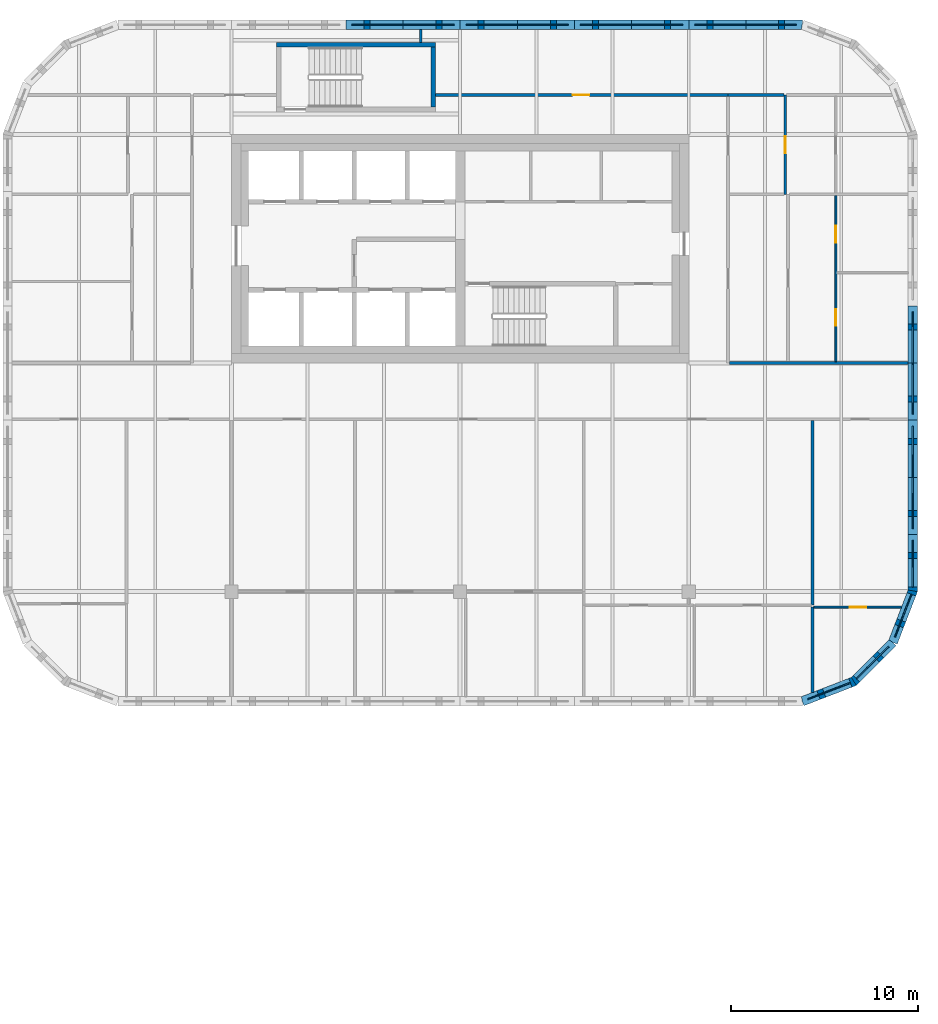
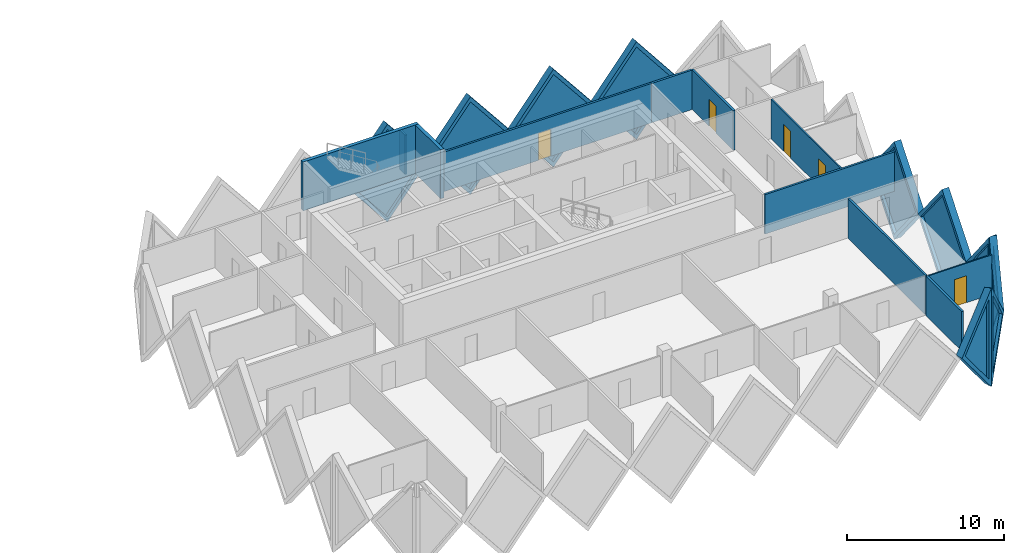
# One storey, part 15 of 19: 21 walls, 10 plates, 5 doors, 15 openings.
"""IFC4 building model written with IfcOpenShell, lengths in metres."""

from ifc_helpers import new_model, si_unit, direction, frame, frame_2d, origin, place, context, subcontext, project, spatial, polyline, rectangle, outline, extrude, faceted_brep, source, transform, mapped, material, layer, layer_set, type_object, element, fill, save


model = new_model("IFC4")

# Units and contexts
model_context = context("Model", 3, precision=1e-05, world=origin(), true_north=direction((0.0, 1.0)))
body_context = subcontext(model_context, "Body", "Model", "MODEL_VIEW")
ifc_project = project(units=[si_unit("LENGTHUNIT", "METRE"), si_unit("AREAUNIT", "SQUARE_METRE"), si_unit("VOLUMEUNIT", "CUBIC_METRE"), si_unit("PLANEANGLEUNIT", "RADIAN"), si_unit("MASSUNIT", "GRAM", prefix="KILO")], contexts=[model_context])

# Site, building, storey
site_placement = place(None, origin())
site = spatial("IfcSite", under=ifc_project, at=site_placement, CompositionType="ELEMENT")
building_placement = place(site_placement, origin())
building = spatial("IfcBuilding", under=site, at=building_placement, Name="Tessera Gate Towers", CompositionType="ELEMENT")
storey_placement = place(building_placement, frame((0.0, 0.0, 87.60009765625)))
storey = spatial("IfcBuildingStorey", under=building, at=storey_placement, Name="L21", CompositionType="ELEMENT", Elevation=87.60009765625)

# Walls
ifc_material_1 = material(Name="Concrete C40/50", Category="concrete")
ifc_layer_1 = layer(ifc_material_1, 0.25)
ifc_layer_set_1 = layer_set([ifc_layer_1], Name="CORE ENCLOSURE WALL 250")
wall_type_1 = type_object("IfcWallType", Name="CORE ENCLOSURE WALL 250", PredefinedType="SOLIDWALL", material=ifc_layer_set_1)
wall_1_placement = place(storey_placement, frame((100.0, 53.574951171875, 0.0), z_axis=(0.0, 0.0, 1.0), x_axis=(1.0, 0.0, 0.0)))
element("IfcWall", 1, at=wall_1_placement, inside=storey, type_object=wall_type_1, Name="L21 ST7 enclosure wall", PredefinedType="SOLIDWALL", context=body_context, shape_type="SweptSolid", body=[
    extrude(rectangle(XDim=8.5, YDim=0.25, at=frame_2d((4.25, 0.0))), origin(), (0.0, 0.0, 1.0), 3.7998046875),
])
wall_2_placement = place(storey_placement, frame((108.375, 53.449951171875, 0.0), z_axis=(0.0, 0.0, 1.0), x_axis=(0.0, -1.0, 0.0)))
element("IfcWall", 2, at=wall_2_placement, inside=storey, type_object=wall_type_1, Name="L21 ST7 enclosure wall", PredefinedType="SOLIDWALL", context=body_context, shape_type="SweptSolid", body=[
    extrude(rectangle(XDim=3.199951171875, YDim=0.25, at=frame_2d((1.60009765625, 0.0))), origin(), (0.0, 0.0, 1.0), 3.7998046875),
])
ifc_material_2 = material(Name="Gypsum board on steel studs, mineral wool", Category="steel")
ifc_layer_2 = layer(ifc_material_2, 0.14990234375)
ifc_layer_set_2 = layer_set([ifc_layer_2], Name="CORRIDOR WALL 150")
wall_type_2 = type_object("IfcWallType", Name="CORRIDOR WALL 150", PredefinedType="PARTITIONING", material=ifc_layer_set_2)
wall_3_placement = place(storey_placement, frame((124.176025390625, 36.60009765625, 0.0), z_axis=(0.0, 0.0, 1.0), x_axis=(1.0, 0.0, 0.0)))
element("IfcWall", 3, at=wall_3_placement, inside=storey, type_object=wall_type_2, Name="T2-L21-PW-025", PredefinedType="PARTITIONING", context=body_context, shape_type="SweptSolid", body=[
    extrude(rectangle(XDim=9.52392578125, YDim=0.14990234375, at=frame_2d((4.761962890625, 0.0))), origin(), (0.0, 0.0, 1.0), 3.06689453125),
])

# Wall, opening, door
wall_4_placement = place(storey_placement, frame((108.5, 50.89990234375, 0.0), z_axis=(0.0, 0.0, 1.0), x_axis=(1.0, 0.0, 0.0)))
wall_4 = element("IfcWall", 4, at=wall_4_placement, inside=storey, type_object=wall_type_2, Name="T2-L21-PW-040", PredefinedType="PARTITIONING", context=body_context, shape_type="SweptSolid", body=[
    extrude(rectangle(XDim=15.60009765625, YDim=0.14990234375, at=frame_2d((7.800048828125, 0.0))), origin(), (0.0, 0.0, 1.0), 3.06689453125),
])
shared_shape_1 = source(origin(), body_context, "Body", "SweptSolid", [
    extrude(rectangle(XDim=0.89990234375, YDim=2.10009765625, at=frame_2d((0.449951171875, 1.050048828125))), frame((0.0, 0.0849609375, 0.0), z_axis=(0.0, -1.0, 0.0), x_axis=(1.0, 0.0, 0.0)), (0.0, 0.0, 1.0), 0.169921875),
])
opening_1_placement = place(wall_4_placement, frame((7.300048828125, 0.0, 0.0)))
opening_1 = element("IfcOpeningElement", 5, at=opening_1_placement, cuts=wall_4, Name="Opening D890FD60-B09-06", PredefinedType="OPENING", context=body_context, shape_type="MappedRepresentation", body=[
    mapped(shared_shape_1, transform((0.0, 0.0, 0.0), scale=1.0)),
])
ifc_material_3 = material(Name="Timber door leaf in steel frame", Category="steel")
door_type_1 = type_object("IfcDoorType", Name="CORRIDOR DOOR 900 FD60", OperationType="NOTDEFINED", PredefinedType="DOOR", material=ifc_material_3)
shared_shape_2 = source(origin(), body_context, "Body", "SweptSolid", [
    extrude(rectangle(XDim=0.89990234375, YDim=2.10009765625, at=frame_2d((0.449951171875, 1.050048828125))), frame((0.0, 0.02490234375, 0.0), z_axis=(0.0, -1.0, 0.0), x_axis=(1.0, 0.0, 0.0)), (0.0, 0.0, 1.0), 0.050048828125),
])
door_1_placement = place(opening_1_placement, origin())
door_1 = element("IfcDoor", 6, at=door_1_placement, inside=storey, type_object=door_type_1, Name="T2-L21-PD-027", OperationType="SINGLE_SWING_LEFT", OverallHeight=2.10009765625, OverallWidth=0.89990234375, PredefinedType="DOOR", context=body_context, shape_type="MappedRepresentation", body=[
    mapped(shared_shape_2, transform((0.0, 0.0, 0.0), scale=1.0)),
])
fill(opening_1, door_1)

ifc_material_4 = material(Name="Gypsum board on steel studs", Category="steel")
ifc_layer_3 = layer(ifc_material_4, 0.10009765625)
ifc_layer_set_3 = layer_set([ifc_layer_3], Name="PARTITION 100")
wall_type_3 = type_object("IfcWallType", Name="PARTITION 100", PredefinedType="PARTITIONING", material=ifc_layer_set_3)
wall_5_placement = place(storey_placement, frame((133.345703125, 23.574951171875, 0.0), z_axis=(0.0, 0.0, 1.0), x_axis=(-1.0, 0.0, 0.0)))
wall_5 = element("IfcWall", 7, at=wall_5_placement, inside=storey, type_object=wall_type_3, Name="T2-L21-PW-008", PredefinedType="PARTITIONING", context=body_context, shape_type="SweptSolid", body=[
    extrude(rectangle(XDim=4.669677734375, YDim=0.10009765625, at=frame_2d((2.3349609375, 0.0))), origin(), (0.0, 0.0, 1.0), 3.06689453125),
])
shared_shape_3 = source(origin(), body_context, "Body", "SweptSolid", [
    extrude(rectangle(XDim=0.89990234375, YDim=2.10009765625, at=frame_2d((0.449951171875, 1.050048828125))), frame((0.0, 0.06005859375, 0.0), z_axis=(0.0, -1.0, 0.0), x_axis=(1.0, 0.0, 0.0)), (0.0, 0.0, 1.0), 0.1201171875),
])
opening_2_placement = place(wall_5_placement, frame((1.869873046875, 0.0, 0.0)))
opening_2 = element("IfcOpeningElement", 8, at=opening_2_placement, cuts=wall_5, Name="Opening D190-B09-04", PredefinedType="OPENING", context=body_context, shape_type="MappedRepresentation", body=[
    mapped(shared_shape_3, transform((0.0, 0.0, 0.0), scale=1.0)),
])
ifc_material_5 = material(Name="Timber door leaf in steel frame", Category="steel")
door_type_2 = type_object("IfcDoorType", Name="INTERNAL DOOR 900 NOT RATED", OperationType="NOTDEFINED", PredefinedType="DOOR", material=ifc_material_5)
door_2_placement = place(opening_2_placement, origin())
door_2 = element("IfcDoor", 9, at=door_2_placement, inside=storey, type_object=door_type_2, Name="T2-L21-PD-005", OperationType="SINGLE_SWING_RIGHT", OverallHeight=2.10009765625, OverallWidth=0.89990234375, PredefinedType="DOOR", context=body_context, shape_type="MappedRepresentation", body=[
    mapped(shared_shape_2, transform((0.0, 0.0, 0.0), scale=1.0)),
])
fill(opening_2, door_2)

# Wall, openings, doors
wall_6_placement = place(storey_placement, frame((129.85009765625, 45.52392578125, 0.0), z_axis=(0.0, 0.0, 1.0), x_axis=(0.0, -1.0, 0.0)))
wall_6 = element("IfcWall", 10, at=wall_6_placement, inside=storey, type_object=wall_type_3, Name="T2-L21-PW-028", PredefinedType="PARTITIONING", context=body_context, shape_type="SweptSolid", body=[
    extrude(rectangle(XDim=8.847900390625, YDim=0.10009765625, at=frame_2d((4.423828125, 0.0))), origin(), (0.0, 0.0, 1.0), 3.06689453125),
])
opening_3_placement = place(wall_6_placement, frame((1.60791015625, 0.0, 0.0)))
opening_3 = element("IfcOpeningElement", 11, at=opening_3_placement, cuts=wall_6, Name="Opening D190-B09-01", PredefinedType="OPENING", context=body_context, shape_type="MappedRepresentation", body=[
    mapped(shared_shape_3, transform((0.0, 0.0, 0.0), scale=1.0)),
])
opening_4_placement = place(wall_6_placement, frame((6.048095703125, 0.0, 0.0)))
opening_4 = element("IfcOpeningElement", 12, at=opening_4_placement, cuts=wall_6, Name="Opening D190-B09-05", PredefinedType="OPENING", context=body_context, shape_type="MappedRepresentation", body=[
    mapped(shared_shape_3, transform((0.0, 0.0, 0.0), scale=1.0)),
])
door_3_placement = place(opening_3_placement, origin())
door_3 = element("IfcDoor", 13, at=door_3_placement, inside=storey, type_object=door_type_2, Name="T2-L21-PD-001", OperationType="SINGLE_SWING_RIGHT", OverallHeight=2.10009765625, OverallWidth=0.89990234375, PredefinedType="DOOR", context=body_context, shape_type="MappedRepresentation", body=[
    mapped(shared_shape_2, transform((0.0, 0.0, 0.0), scale=1.0)),
])
fill(opening_3, door_3)
door_4_placement = place(opening_4_placement, origin())
door_4 = element("IfcDoor", 14, at=door_4_placement, inside=storey, type_object=door_type_2, Name="T2-L21-PD-006", OperationType="SINGLE_SWING_RIGHT", OverallHeight=2.10009765625, OverallWidth=0.89990234375, PredefinedType="DOOR", context=body_context, shape_type="MappedRepresentation", body=[
    mapped(shared_shape_2, transform((0.0, 0.0, 0.0), scale=1.0)),
])
fill(opening_4, door_4)

# Walls
ifc_material_6 = material(Name="Gypsum board on steel studs, mineral wool", Category="steel")
ifc_layer_4 = layer(ifc_material_6, 0.14990234375)
ifc_layer_set_4 = layer_set([ifc_layer_4], Name="TENANCY WALL 150")
wall_type_4 = type_object("IfcWallType", Name="TENANCY WALL 150", PredefinedType="PARTITIONING", material=ifc_layer_set_4)
wall_7_placement = place(storey_placement, frame((128.60009765625, 19.02880859375, 0.0), z_axis=(0.0, 0.0, 1.0), x_axis=(0.0, 1.0, 0.0)))
element("IfcWall", 15, at=wall_7_placement, inside=storey, type_object=wall_type_4, Name="T2-L21-PW-007", PredefinedType="PARTITIONING", context=body_context, shape_type="SweptSolid", body=[
    extrude(rectangle(XDim=4.546142578125, YDim=0.14990234375, at=frame_2d((2.27294921875, 0.0))), origin(), (0.0, 0.0, 1.0), 3.06689453125),
])
wall_8_placement = place(storey_placement, frame((128.60009765625, 23.679931640625, 0.0), z_axis=(0.0, 0.0, 1.0), x_axis=(0.0, 1.0, 0.0)))
element("IfcWall", 16, at=wall_8_placement, inside=storey, type_object=wall_type_4, Name="T2-L21-PW-012", PredefinedType="PARTITIONING", context=body_context, shape_type="SweptSolid", body=[
    extrude(rectangle(XDim=9.843994140625, YDim=0.14990234375, at=frame_2d((4.921875, 0.0))), origin(), (0.0, 0.0, 1.0), 3.06689453125),
])

# Wall, opening, door
wall_9_placement = place(storey_placement, frame((127.14990234375, 50.89990234375, 0.0), z_axis=(0.0, 0.0, 1.0), x_axis=(0.0, -1.0, 0.0)))
wall_9 = element("IfcWall", 17, at=wall_9_placement, inside=storey, type_object=wall_type_4, Name="T2-L21-PW-034", PredefinedType="PARTITIONING", context=body_context, shape_type="SweptSolid", body=[
    extrude(rectangle(XDim=5.2998046875, YDim=0.14990234375, at=frame_2d((2.64990234375, 0.0))), origin(), (0.0, 0.0, 1.0), 3.06689453125),
])
opening_5_placement = place(wall_9_placement, frame((2.199951171875, 0.0, 0.0)))
opening_5 = element("IfcOpeningElement", 18, at=opening_5_placement, cuts=wall_9, Name="Opening D190-B09-08", PredefinedType="OPENING", context=body_context, shape_type="MappedRepresentation", body=[
    mapped(shared_shape_1, transform((0.0, 0.0, 0.0), scale=1.0)),
])
door_5_placement = place(opening_5_placement, origin())
door_5 = element("IfcDoor", 19, at=door_5_placement, inside=storey, type_object=door_type_2, Name="T2-L21-PD-013", OperationType="SINGLE_SWING_RIGHT", OverallHeight=2.10009765625, OverallWidth=0.89990234375, PredefinedType="DOOR", context=body_context, shape_type="MappedRepresentation", body=[
    mapped(shared_shape_2, transform((0.0, 0.0, 0.0), scale=1.0)),
])
fill(opening_5, door_5)

# Walls
wall_10_placement = place(storey_placement, frame((124.10107421875, 50.89990234375, 0.0), z_axis=(0.0, 0.0, 1.0), x_axis=(1.0, 0.0, 0.0)))
element("IfcWall", 20, at=wall_10_placement, inside=storey, type_object=wall_type_4, Name="T2-L21-PW-041", PredefinedType="PARTITIONING", context=body_context, shape_type="SweptSolid", body=[
    extrude(rectangle(XDim=2.972900390625, YDim=0.14990234375, at=frame_2d((1.486328125, 0.0))), origin(), (0.0, 0.0, 1.0), 3.06689453125),
])
wall_11_placement = place(storey_placement, frame((107.699951171875, 53.699951171875, 0.0), z_axis=(0.0, 0.0, 1.0), x_axis=(0.0, 1.0, 0.0)))
element("IfcWall", 21, at=wall_11_placement, inside=storey, type_object=wall_type_4, Name="T2-L21-PW-043", PredefinedType="PARTITIONING", context=body_context, shape_type="SweptSolid", body=[
    extrude(rectangle(XDim=0.699951171875, YDim=0.14990234375, at=frame_2d((0.35009765625, 0.0))), origin(), (0.0, 0.0, 1.0), 3.06689453125),
])

# Wall, opening, plate
ifc_material_7 = material(Name="Precast concrete C60/75 white", Category="concrete")
ifc_layer_5 = layer(ifc_material_7, 0.5)
ifc_layer_set_5 = layer_set([ifc_layer_5], Name="TS1 tessera")
wall_type_5 = type_object("IfcWallType", Name="TS1 tessera", PredefinedType="SOLIDWALL", material=ifc_layer_set_5)
shared_shape_4 = source(origin(), body_context, "Body", "Brep", [
    faceted_brep([(3.00341796875, -0.25, 0.0), (6.053466796875, -0.25, 3.800048828125), (3.00341796875, -0.25, 7.599853515625), (0.0, -0.25, 3.800048828125), (0.046630859375, 0.25, 3.85888671875), (3.00341796875, 0.25, 7.599853515625), (6.053466796875, 0.25, 3.800048828125), (3.00341796875, 0.25, 0.0), (0.046630859375, 0.25, 3.7412109375), (0.0, 0.0, 3.800048828125)], [[[0, 1, 2, 3]], [[4, 5, 6, 7, 8]], [[7, 6, 1, 0]], [[6, 5, 2, 1]], [[5, 4, 9, 3, 2]], [[8, 7, 0, 3, 9]], [[8, 9, 4]]]),
])
wall_12_placement = place(storey_placement, frame((128.053466796875, 54.64990234375, -3.800048828125), z_axis=(0.0, 0.0, 1.0), x_axis=(-1.0, 0.0, 0.0)))
wall_12 = element("IfcWall", 22, at=wall_12_placement, inside=storey, type_object=wall_type_5, Name="Precast tessera T2 TS1-0261", PredefinedType="SOLIDWALL", context=body_context, shape_type="MappedRepresentation", body=[
    mapped(shared_shape_4, transform((0.0, 0.0, 0.0), scale=1.0)),
])
shared_shape_5 = source(origin(), body_context, "Body", "SweptSolid", [
    extrude(outline(polyline([(3.0048828125, 0.401123046875), (5.73291015625, 3.800048828125), (3.0048828125, 7.19873046875), (0.318603515625, 3.800048828125), (3.0048828125, 0.401123046875)])), frame((0.0, 0.260009765625, 0.0), z_axis=(0.0, -1.0, 0.0), x_axis=(1.0, 0.0, 0.0)), (0.0, 0.0, 1.0), 0.52001953125),
])
opening_6_placement = place(wall_12_placement, origin())
opening_6 = element("IfcOpeningElement", 23, at=opening_6_placement, cuts=wall_12, Name="Opening T2-PL2-0493", PredefinedType="OPENING", context=body_context, shape_type="MappedRepresentation", body=[
    mapped(shared_shape_5, transform((0.0, 0.0, 0.0), scale=1.0)),
])
ifc_material_8 = material(Name="Low-e laminated glass", Category="glass")
ifc_layer_6 = layer(ifc_material_8, 0.06005859375)
ifc_layer_set_6 = layer_set([ifc_layer_6], Name="PL2 rhombic pane")
plate_type = type_object("IfcPlateType", Name="PL2 rhombic pane", PredefinedType="SHEET", material=ifc_layer_set_6)
shared_shape_6 = source(origin(), body_context, "Body", "SweptSolid", [
    extrude(outline(polyline([(3.0048828125, 0.401123046875), (5.73291015625, 3.800048828125), (3.0048828125, 7.19873046875), (0.318603515625, 3.800048828125), (3.0048828125, 0.401123046875)])), frame((0.0, 0.030029296875, 0.0), z_axis=(0.0, -1.0, 0.0), x_axis=(1.0, 0.0, 0.0)), (0.0, 0.0, 1.0), 0.06005859375),
])
plate_1_placement = place(opening_6_placement, origin())
plate_1 = element("IfcPlate", 24, at=plate_1_placement, inside=storey, type_object=plate_type, Name="Glass pane T2 PL2-0493", PredefinedType="SHEET", context=body_context, shape_type="MappedRepresentation", body=[
    mapped(shared_shape_6, transform((0.0, 0.0, 0.0), scale=1.0)),
])
fill(opening_6, plate_1)

shared_shape_7 = source(origin(), body_context, "Body", "Brep", [
    faceted_brep([(3.050048828125, -0.25, 0.0), (6.099853515625, -0.25, 3.7998046875), (6.099853515625, -0.25, 3.80029296875), (3.050048828125, -0.25, 7.599853515625), (0.0, -0.25, 3.800048828125), (0.0, 0.25, 3.800048828125), (3.050048828125, 0.25, 7.599853515625), (6.099853515625, 0.25, 3.80029296875), (6.099853515625, 0.25, 3.7998046875), (3.050048828125, 0.25, 0.0)], [[[0, 1, 2, 3, 4]], [[5, 6, 7, 8, 9]], [[9, 8, 1, 0]], [[7, 6, 3, 2]], [[6, 5, 4, 3]], [[5, 9, 0, 4]], [[1, 8, 7, 2]]]),
])
wall_13_placement = place(storey_placement, frame((133.949951171875, 33.550048828125, -3.800048828125), z_axis=(0.0, 0.0, 1.0), x_axis=(0.0, 1.0, 0.0)))
wall_13 = element("IfcWall", 25, at=wall_13_placement, inside=storey, type_object=wall_type_5, Name="Precast tessera T2 TS1-0259", PredefinedType="SOLIDWALL", context=body_context, shape_type="MappedRepresentation", body=[
    mapped(shared_shape_7, transform((0.0, 0.0, 0.0), scale=1.0)),
])
shared_shape_8 = source(origin(), body_context, "Body", "SweptSolid", [
    extrude(outline(polyline([(3.050048828125, 0.3994140625), (5.779541015625, 3.800048828125), (3.050048828125, 7.200439453125), (0.320556640625, 3.800048828125), (3.050048828125, 0.3994140625)])), frame((0.0, 0.260009765625, 0.0), z_axis=(0.0, -1.0, 0.0), x_axis=(1.0, 0.0, 0.0)), (0.0, 0.0, 1.0), 0.52001953125),
])
opening_7_placement = place(wall_13_placement, origin())
opening_7 = element("IfcOpeningElement", 26, at=opening_7_placement, cuts=wall_13, Name="Opening T2-PL2-0487", PredefinedType="OPENING", context=body_context, shape_type="MappedRepresentation", body=[
    mapped(shared_shape_8, transform((0.0, 0.0, 0.0), scale=1.0)),
])
shared_shape_9 = source(origin(), body_context, "Body", "SweptSolid", [
    extrude(outline(polyline([(3.050048828125, 0.3994140625), (5.779541015625, 3.800048828125), (3.050048828125, 7.200439453125), (0.320556640625, 3.800048828125), (3.050048828125, 0.3994140625)])), frame((0.0, 0.030029296875, 0.0), z_axis=(0.0, -1.0, 0.0), x_axis=(1.0, 0.0, 0.0)), (0.0, 0.0, 1.0), 0.06005859375),
])
plate_2_placement = place(opening_7_placement, origin())
plate_2 = element("IfcPlate", 27, at=plate_2_placement, inside=storey, type_object=plate_type, Name="Glass pane T2 PL2-0487", PredefinedType="SHEET", context=body_context, shape_type="MappedRepresentation", body=[
    mapped(shared_shape_9, transform((0.0, 0.0, 0.0), scale=1.0)),
])
fill(opening_7, plate_2)

wall_14_placement = place(storey_placement, frame((115.89990234375, 54.64990234375, -3.800048828125), z_axis=(0.0, 0.0, 1.0), x_axis=(-1.0, 0.0, 0.0)))
wall_14 = element("IfcWall", 28, at=wall_14_placement, inside=storey, type_object=wall_type_5, Name="Precast tessera T2 TS1-0263", PredefinedType="SOLIDWALL", context=body_context, shape_type="MappedRepresentation", body=[
    mapped(shared_shape_7, transform((0.0, 0.0, 0.0), scale=1.0)),
])
opening_8_placement = place(wall_14_placement, origin())
opening_8 = element("IfcOpeningElement", 29, at=opening_8_placement, cuts=wall_14, Name="Opening T2-PL2-0495", PredefinedType="OPENING", context=body_context, shape_type="MappedRepresentation", body=[
    mapped(shared_shape_8, transform((0.0, 0.0, 0.0), scale=1.0)),
])
plate_3_placement = place(opening_8_placement, origin())
plate_3 = element("IfcPlate", 30, at=plate_3_placement, inside=storey, type_object=plate_type, Name="Glass pane T2 PL2-0495", PredefinedType="SHEET", context=body_context, shape_type="MappedRepresentation", body=[
    mapped(shared_shape_9, transform((0.0, 0.0, 0.0), scale=1.0)),
])
fill(opening_8, plate_3)

shared_shape_10 = source(origin(), body_context, "Body", "SweptSolid", [
    extrude(outline(polyline([(3.050048828125, 0.0), (6.10009765625, 3.800048828125), (3.050048828125, 7.599853515625), (0.0, 3.800048828125), (3.050048828125, 0.0)])), frame((0.0, 0.25, 0.0), z_axis=(0.0, -1.0, 0.0), x_axis=(1.0, 0.0, 0.0)), (0.0, 0.0, 1.0), 0.5),
])
wall_15_placement = place(storey_placement, frame((133.949951171875, 27.449951171875, -3.800048828125), z_axis=(0.0, 0.0, 1.0), x_axis=(0.0, 1.0, 0.0)))
wall_15 = element("IfcWall", 31, at=wall_15_placement, inside=storey, type_object=wall_type_5, Name="Precast tessera T2 TS1-0258", PredefinedType="SOLIDWALL", context=body_context, shape_type="MappedRepresentation", body=[
    mapped(shared_shape_10, transform((0.0, 0.0, 0.0), scale=1.0)),
])
opening_9_placement = place(wall_15_placement, origin())
opening_9 = element("IfcOpeningElement", 32, at=opening_9_placement, cuts=wall_15, Name="Opening T2-PL2-0486", PredefinedType="OPENING", context=body_context, shape_type="MappedRepresentation", body=[
    mapped(shared_shape_8, transform((0.0, 0.0, 0.0), scale=1.0)),
])
plate_4_placement = place(opening_9_placement, origin())
plate_4 = element("IfcPlate", 33, at=plate_4_placement, inside=storey, type_object=plate_type, Name="Glass pane T2 PL2-0486", PredefinedType="SHEET", context=body_context, shape_type="MappedRepresentation", body=[
    mapped(shared_shape_9, transform((0.0, 0.0, 0.0), scale=1.0)),
])
fill(opening_9, plate_4)

wall_16_placement = place(storey_placement, frame((122.0, 54.64990234375, -3.800048828125), z_axis=(0.0, 0.0, 1.0), x_axis=(-1.0, 0.0, 0.0)))
wall_16 = element("IfcWall", 34, at=wall_16_placement, inside=storey, type_object=wall_type_5, Name="Precast tessera T2 TS1-0262", PredefinedType="SOLIDWALL", context=body_context, shape_type="MappedRepresentation", body=[
    mapped(shared_shape_10, transform((0.0, 0.0, 0.0), scale=1.0)),
])
opening_10_placement = place(wall_16_placement, origin())
opening_10 = element("IfcOpeningElement", 35, at=opening_10_placement, cuts=wall_16, Name="Opening T2-PL2-0494", PredefinedType="OPENING", context=body_context, shape_type="MappedRepresentation", body=[
    mapped(shared_shape_8, transform((0.0, 0.0, 0.0), scale=1.0)),
])
plate_5_placement = place(opening_10_placement, origin())
plate_5 = element("IfcPlate", 36, at=plate_5_placement, inside=storey, type_object=plate_type, Name="Glass pane T2 PL2-0494", PredefinedType="SHEET", context=body_context, shape_type="MappedRepresentation", body=[
    mapped(shared_shape_9, transform((0.0, 0.0, 0.0), scale=1.0)),
])
fill(opening_10, plate_5)

wall_17_placement = place(storey_placement, frame((109.800048828125, 54.64990234375, -3.800048828125), z_axis=(0.0, 0.0, 1.0), x_axis=(-1.0, 0.0, 0.0)))
wall_17 = element("IfcWall", 37, at=wall_17_placement, inside=storey, type_object=wall_type_5, Name="Precast tessera T2 TS1-0264", PredefinedType="SOLIDWALL", context=body_context, shape_type="MappedRepresentation", body=[
    mapped(shared_shape_10, transform((0.0, 0.0, 0.0), scale=1.0)),
])
opening_11_placement = place(wall_17_placement, origin())
opening_11 = element("IfcOpeningElement", 38, at=opening_11_placement, cuts=wall_17, Name="Opening T2-PL2-0496", PredefinedType="OPENING", context=body_context, shape_type="MappedRepresentation", body=[
    mapped(shared_shape_8, transform((0.0, 0.0, 0.0), scale=1.0)),
])
plate_6_placement = place(opening_11_placement, origin())
plate_6 = element("IfcPlate", 39, at=plate_6_placement, inside=storey, type_object=plate_type, Name="Glass pane T2 PL2-0496", PredefinedType="SHEET", context=body_context, shape_type="MappedRepresentation", body=[
    mapped(shared_shape_9, transform((0.0, 0.0, 0.0), scale=1.0)),
])
fill(opening_11, plate_6)

ifc_material_9 = material(Name="Precast concrete C60/75 white", Category="concrete")
ifc_layer_7 = layer(ifc_material_9, 0.5)
ifc_layer_set_7 = layer_set([ifc_layer_7], Name="TS3 corner tessera")
wall_type_6 = type_object("IfcWallType", Name="TS3 corner tessera", PredefinedType="SOLIDWALL", material=ifc_layer_set_7)
shared_shape_11 = source(origin(), body_context, "Body", "Brep", [
    faceted_brep([(2.950439453125, -0.25, 0.0), (3.00341796875, -0.25, 0.068359375), (3.00341796875, -0.25, 7.531494140625), (2.950439453125, -0.25, 7.599853515625), (0.0, -0.25, 3.800048828125), (0.046630859375, 0.25, 3.860107421875), (2.897705078125, 0.25, 7.53173828125), (2.897705078125, 0.25, 0.068115234375), (0.046630859375, 0.25, 3.739990234375), (2.950439453125, 0.00048828125, 0.0), (2.950439453125, 0.00048828125, 7.599853515625), (0.0, 0.0, 3.800048828125)], [[[0, 1, 2, 3, 4]], [[5, 6, 7, 8]], [[1, 0, 9]], [[10, 3, 2]], [[6, 5, 11, 4, 3, 10]], [[8, 7, 9, 0, 4, 11]], [[8, 11, 5]], [[1, 9, 7, 6, 10, 2]]]),
])
wall_18_placement = place(storey_placement, frame((128.053466796875, 18.550048828125, -3.800048828125), z_axis=(0.0, 0.0, 1.0), x_axis=(0.933007896601, 0.359855894603, 0.0)))
wall_18 = element("IfcWall", 40, at=wall_18_placement, inside=storey, type_object=wall_type_6, Name="Precast corner tessera T2 TS3-0305", PredefinedType="SOLIDWALL", context=body_context, shape_type="MappedRepresentation", body=[
    mapped(shared_shape_11, transform((0.0, 0.0, 0.0), scale=1.0)),
])
shared_shape_12 = source(origin(), body_context, "Body", "SweptSolid", [
    extrude(outline(polyline([(2.75048828125, 6.934814453125), (0.31640625, 3.800048828125), (2.75048828125, 0.665283203125), (2.75048828125, 6.934814453125)])), frame((0.0, 0.260009765625, 0.0), z_axis=(0.0, -1.0, 0.0), x_axis=(1.0, 0.0, 0.0)), (0.0, 0.0, 1.0), 0.52001953125),
])
opening_12_placement = place(wall_18_placement, origin())
opening_12 = element("IfcOpeningElement", 41, at=opening_12_placement, cuts=wall_18, Name="Opening T2-PL2-0482", PredefinedType="OPENING", context=body_context, shape_type="MappedRepresentation", body=[
    mapped(shared_shape_12, transform((0.0, 0.0, 0.0), scale=1.0)),
])
shared_shape_13 = source(origin(), body_context, "Body", "SweptSolid", [
    extrude(outline(polyline([(2.75048828125, 6.934814453125), (0.31640625, 3.800048828125), (2.75048828125, 0.665283203125), (2.75048828125, 6.934814453125)])), frame((0.0, 0.030029296875, 0.0), z_axis=(0.0, -1.0, 0.0), x_axis=(1.0, 0.0, 0.0)), (0.0, 0.0, 1.0), 0.06005859375),
])
plate_7_placement = place(opening_12_placement, origin())
plate_7 = element("IfcPlate", 42, at=plate_7_placement, inside=storey, type_object=plate_type, Name="Glass pane T2 PL2-0482", PredefinedType="SHEET", context=body_context, shape_type="MappedRepresentation", body=[
    mapped(shared_shape_13, transform((0.0, 0.0, 0.0), scale=1.0)),
])
fill(opening_12, plate_7)

shared_shape_14 = source(origin(), body_context, "Body", "Brep", [
    faceted_brep([(2.950439453125, -0.25, 0.0), (2.9970703125, -0.25, 0.05908203125), (2.9970703125, -0.25, 7.540771484375), (2.950439453125, -0.25, 7.599853515625), (0.0, -0.25, 3.800048828125), (0.052978515625, 0.25, 3.8681640625), (2.904052734375, 0.25, 7.5400390625), (2.904052734375, 0.25, 0.059814453125), (0.052978515625, 0.25, 3.73193359375), (2.950439453125, 0.00048828125, 0.0), (2.950439453125, 0.00048828125, 7.599853515625), (0.0, 0.0, 3.800048828125)], [[[0, 1, 2, 3, 4]], [[5, 6, 7, 8]], [[1, 0, 9]], [[10, 3, 2]], [[6, 5, 11, 4, 3, 10]], [[8, 7, 9, 0, 4, 11]], [[8, 11, 5]], [[1, 9, 7, 6, 10, 2]]]),
])
wall_19_placement = place(storey_placement, frame((132.88818359375, 21.69384765625, -3.800048828125), z_axis=(0.0, 0.0, 1.0), x_axis=(0.359901446078, 0.932990326376, 0.0)))
wall_19 = element("IfcWall", 43, at=wall_19_placement, inside=storey, type_object=wall_type_6, Name="Precast corner tessera T2 TS3-0307", PredefinedType="SOLIDWALL", context=body_context, shape_type="MappedRepresentation", body=[
    mapped(shared_shape_14, transform((0.0, 0.0, 0.0), scale=1.0)),
])
opening_13_placement = place(wall_19_placement, origin())
opening_13 = element("IfcOpeningElement", 44, at=opening_13_placement, cuts=wall_19, Name="Opening T2-PL2-0484", PredefinedType="OPENING", context=body_context, shape_type="MappedRepresentation", body=[
    mapped(shared_shape_12, transform((0.0, 0.0, 0.0), scale=1.0)),
])
plate_8_placement = place(opening_13_placement, origin())
plate_8 = element("IfcPlate", 45, at=plate_8_placement, inside=storey, type_object=plate_type, Name="Glass pane T2 PL2-0484", PredefinedType="SHEET", context=body_context, shape_type="MappedRepresentation", body=[
    mapped(shared_shape_13, transform((0.0, 0.0, 0.0), scale=1.0)),
])
fill(opening_13, plate_8)

shared_shape_15 = source(origin(), body_context, "Body", "Brep", [
    faceted_brep([(0.046630859375, -0.25, 0.0), (3.050048828125, -0.25, 3.800048828125), (0.046630859375, -0.25, 7.599853515625), (0.0, -0.25, 7.539794921875), (0.0, -0.25, 0.06005859375), (0.09326171875, 0.25, 7.541015625), (3.050048828125, 0.25, 3.800048828125), (0.09326171875, 0.25, 0.058837890625), (0.046630859375, 0.0, 0.0), (0.046630859375, 0.0, 7.599853515625)], [[[0, 1, 2, 3, 4]], [[5, 6, 7]], [[7, 6, 1, 0, 8]], [[6, 5, 9, 2, 1]], [[3, 2, 9]], [[8, 0, 4]], [[7, 8, 4, 3, 9, 5]]]),
])
wall_20_placement = place(storey_placement, frame((133.949951171875, 24.39990234375, -3.800048828125), z_axis=(0.0, 0.0, 1.0), x_axis=(0.0, 1.0, 0.0)))
wall_20 = element("IfcWall", 46, at=wall_20_placement, inside=storey, type_object=wall_type_6, Name="Precast corner tessera T2 TS3-0308", PredefinedType="SOLIDWALL", context=body_context, shape_type="MappedRepresentation", body=[
    mapped(shared_shape_15, transform((0.0, 0.0, 0.0), scale=1.0)),
])
shared_shape_16 = source(origin(), body_context, "Body", "SweptSolid", [
    extrude(outline(polyline([(0.24658203125, 0.65625), (2.7314453125, 3.800048828125), (0.24658203125, 6.94384765625), (0.24658203125, 0.65625)])), frame((0.0, 0.260009765625, 0.0), z_axis=(0.0, -1.0, 0.0), x_axis=(1.0, 0.0, 0.0)), (0.0, 0.0, 1.0), 0.52001953125),
])
opening_14_placement = place(wall_20_placement, origin())
opening_14 = element("IfcOpeningElement", 47, at=opening_14_placement, cuts=wall_20, Name="Opening T2-PL2-0485", PredefinedType="OPENING", context=body_context, shape_type="MappedRepresentation", body=[
    mapped(shared_shape_16, transform((0.0, 0.0, 0.0), scale=1.0)),
])
shared_shape_17 = source(origin(), body_context, "Body", "SweptSolid", [
    extrude(outline(polyline([(0.24658203125, 0.65625), (2.7314453125, 3.800048828125), (0.24658203125, 6.94384765625), (0.24658203125, 0.65625)])), frame((0.0, 0.030029296875, 0.0), z_axis=(0.0, -1.0, 0.0), x_axis=(1.0, 0.0, 0.0)), (0.0, 0.0, 1.0), 0.06005859375),
])
plate_9_placement = place(opening_14_placement, origin())
plate_9 = element("IfcPlate", 48, at=plate_9_placement, inside=storey, type_object=plate_type, Name="Glass pane T2 PL2-0485", PredefinedType="SHEET", context=body_context, shape_type="MappedRepresentation", body=[
    mapped(shared_shape_17, transform((0.0, 0.0, 0.0), scale=1.0)),
])
fill(opening_14, plate_9)

shared_shape_18 = source(origin(), body_context, "Body", "Brep", [
    faceted_brep([(0.052978515625, -0.25, 0.0), (2.9970703125, -0.25, 3.800048828125), (0.052978515625, -0.25, 7.599853515625), (0.0, -0.25, 7.53173828125), (0.0, -0.25, 0.068115234375), (0.10595703125, 0.25, 7.531494140625), (2.944091796875, 0.25, 3.8681640625), (2.944091796875, 0.25, 3.73193359375), (0.10595703125, 0.25, 0.068359375), (2.9970703125, 0.000244140625, 3.800048828125), (0.052978515625, 0.0, 0.0), (0.052978515625, 0.0, 7.599853515625)], [[[0, 1, 2, 3, 4]], [[5, 6, 7, 8]], [[8, 7, 9, 1, 0, 10]], [[6, 5, 11, 2, 1, 9]], [[3, 2, 11]], [[10, 0, 4]], [[8, 10, 4, 3, 11, 5]], [[7, 6, 9]]]),
])
wall_21_placement = place(storey_placement, frame((130.768798828125, 19.574462890625, -3.800048828125), z_axis=(0.0, 0.0, 1.0), x_axis=(0.707106781187, 0.707106781187, 0.0)))
wall_21 = element("IfcWall", 49, at=wall_21_placement, inside=storey, type_object=wall_type_6, Name="Precast corner tessera T2 TS3-0306", PredefinedType="SOLIDWALL", context=body_context, shape_type="MappedRepresentation", body=[
    mapped(shared_shape_18, transform((0.0, 0.0, 0.0), scale=1.0)),
])
shared_shape_19 = source(origin(), body_context, "Body", "SweptSolid", [
    extrude(outline(polyline([(0.2529296875, 0.666259765625), (2.680908203125, 3.800048828125), (0.2529296875, 6.93359375), (0.2529296875, 0.666259765625)])), frame((0.0, 0.260009765625, 0.0), z_axis=(0.0, -1.0, 0.0), x_axis=(1.0, 0.0, 0.0)), (0.0, 0.0, 1.0), 0.52001953125),
])
opening_15_placement = place(wall_21_placement, origin())
opening_15 = element("IfcOpeningElement", 50, at=opening_15_placement, cuts=wall_21, Name="Opening T2-PL2-0483", PredefinedType="OPENING", context=body_context, shape_type="MappedRepresentation", body=[
    mapped(shared_shape_19, transform((0.0, 0.0, 0.0), scale=1.0)),
])
shared_shape_20 = source(origin(), body_context, "Body", "SweptSolid", [
    extrude(outline(polyline([(0.2529296875, 0.666259765625), (2.680908203125, 3.800048828125), (0.2529296875, 6.93359375), (0.2529296875, 0.666259765625)])), frame((0.0, 0.030029296875, 0.0), z_axis=(0.0, -1.0, 0.0), x_axis=(1.0, 0.0, 0.0)), (0.0, 0.0, 1.0), 0.06005859375),
])
plate_10_placement = place(opening_15_placement, origin())
plate_10 = element("IfcPlate", 51, at=plate_10_placement, inside=storey, type_object=plate_type, Name="Glass pane T2 PL2-0483", PredefinedType="SHEET", context=body_context, shape_type="MappedRepresentation", body=[
    mapped(shared_shape_20, transform((0.0, 0.0, 0.0), scale=1.0)),
])
fill(opening_15, plate_10)

save(model, "model.ifc")
